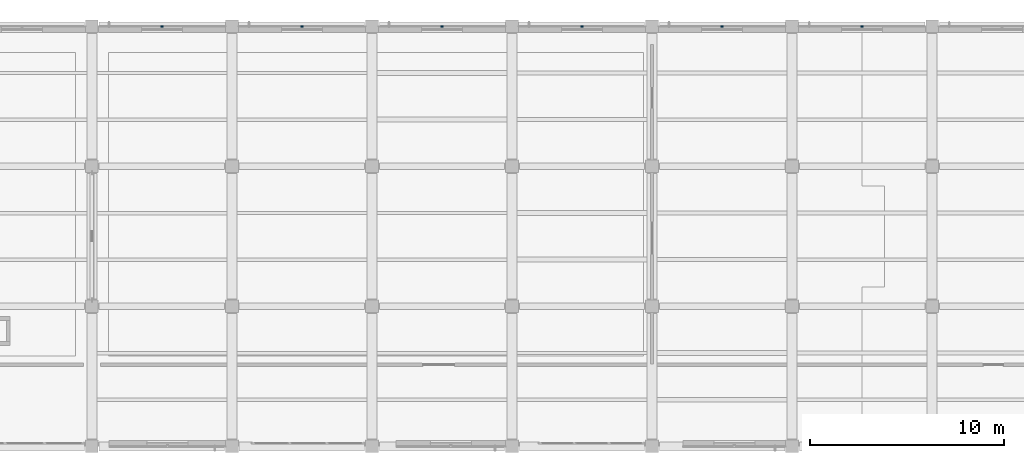
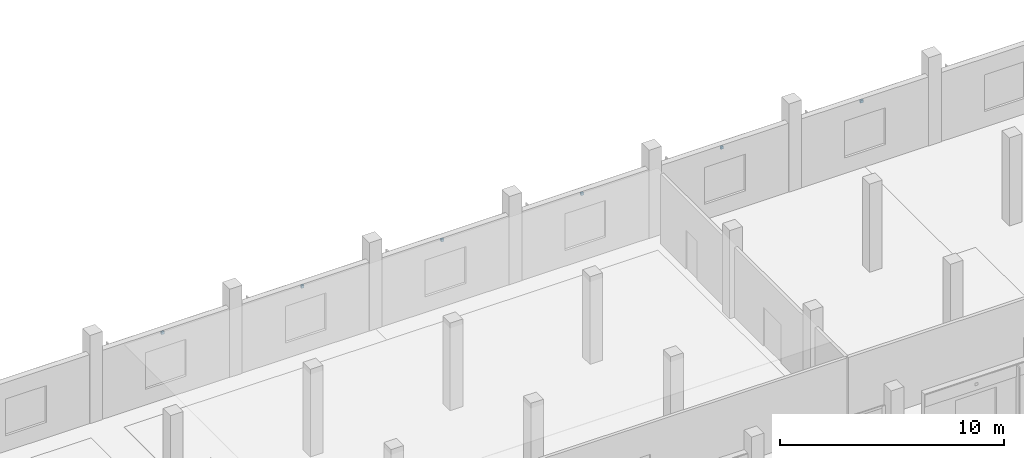
# One storey, part 106 of 127: 6 discrete accessories.
"""IFC4 building model written with IfcOpenShell, lengths in metres."""

from ifc_helpers import new_model, si_unit, direction, frame, origin, origin_2d, place, context, subcontext, project, spatial, rectangle, extrude, material, type_object, element, save


model = new_model("IFC4")

# Units and contexts
model_context = context("Model", 3, precision=1e-05, world=origin(), true_north=direction((0.0, 1.0)))
body_context = subcontext(model_context, "Body", "Model", "MODEL_VIEW")
ifc_project = project(units=[si_unit("LENGTHUNIT", "METRE"), si_unit("AREAUNIT", "SQUARE_METRE"), si_unit("VOLUMEUNIT", "CUBIC_METRE"), si_unit("PLANEANGLEUNIT", "RADIAN"), si_unit("MASSUNIT", "GRAM", prefix="KILO")], contexts=[model_context])

# Site, building, storey
site_placement = place(None, origin())
site = spatial("IfcSite", under=ifc_project, at=site_placement, CompositionType="ELEMENT")
building_placement = place(site_placement, origin())
building = spatial("IfcBuilding", under=site, at=building_placement, Name="Kalmorath City Hall", CompositionType="ELEMENT")
storey_placement = place(building_placement, frame((0.0, 0.0, 5.39990234375)))
storey = spatial("IfcBuildingStorey", under=building, at=storey_placement, Name="L01", CompositionType="ELEMENT", Elevation=5.39990234375)

# Discrete accessories
ifc_material = material(Name="Stainless steel Grade 316", Category="steel")
discrete_accessory_type = type_object("IfcDiscreteAccessoryType", Name="Stainless rainscreen support bracket", PredefinedType="BRACKET", material=ifc_material)
for number, where, z_axis, x_axis, name in (
    (1, (68.39990234375, 115.18994140625, 3.3310546875), (0.0, 0.0, 1.0), (1.0, 0.0, 0.0), "L01 basalt anchor bracket #25"),
    (2, (75.60009765625, 115.18994140625, 3.3310546875), (0.0, 0.0, 1.0), (1.0, 0.0, 0.0), "L01 basalt anchor bracket #26"),
    (3, (82.800048828125, 115.18994140625, 3.3310546875), (0.0, 0.0, 1.0), (1.0, 0.0, 0.0), "L01 basalt anchor bracket #27"),
    (4, (90.0, 115.18994140625, 3.3310546875), (0.0, 0.0, 1.0), (1.0, 0.0, 0.0), "L01 basalt anchor bracket #28"),
    (5, (97.199951171875, 115.18994140625, 3.3310546875), (0.0, 0.0, 1.0), (1.0, 0.0, 0.0), "L01 basalt anchor bracket #29"),
    (6, (104.39990234375, 115.18994140625, 3.3310546875), (0.0, 0.0, 1.0), (1.0, 0.0, 0.0), "L01 basalt anchor bracket #30"),
):
    element("IfcDiscreteAccessory", number, at=place(storey_placement, frame(where, z_axis=z_axis, x_axis=x_axis)), inside=storey, type_object=discrete_accessory_type, Name=name, PredefinedType="BRACKET", context=body_context, shape_type="SweptSolid", body=[
        extrude(rectangle(XDim=0.139892578125, YDim=0.10009765625, at=origin_2d()), origin(), (0.0, 0.0, 1.0), 0.139892578125),
    ])

save(model, "model.ifc")
